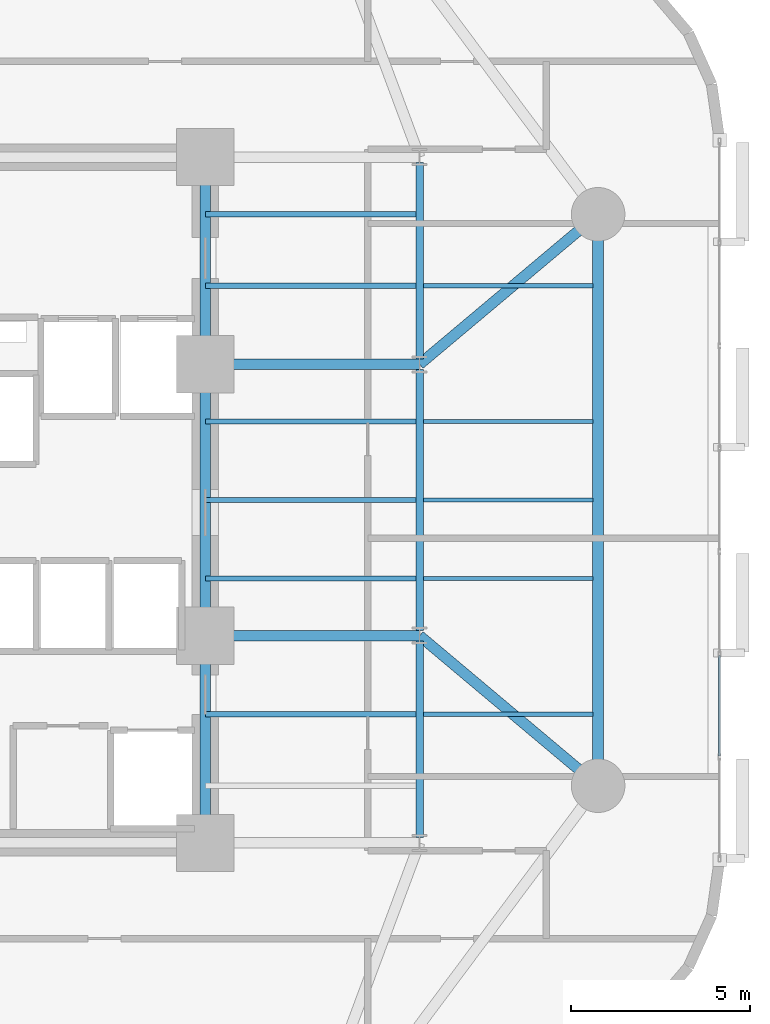
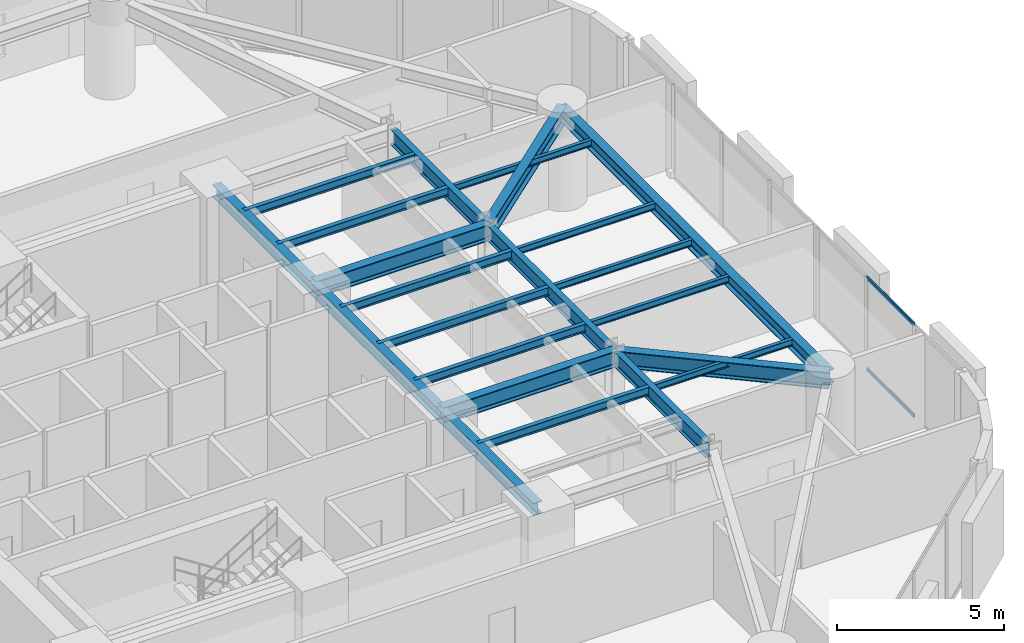
# One storey, part 5 of 16: 22 beams, 2 members, 1 element without a shape of its own.
"""IFC4 building model written with IfcOpenShell, lengths in metres."""

from ifc_helpers import new_model, si_unit, direction, frame, origin, origin_2d, place, context, subcontext, project, spatial, hollow_rectangle, i_section, extrude, material, layer, layer_set, material_profile, profile_set, type_object, element, aggregate, save


model = new_model("IFC4")

# Units and contexts
model_context = context("Model", 3, precision=1e-05, world=origin(), true_north=direction((0.0, 1.0)))
body_context = subcontext(model_context, "Body", "Model", "MODEL_VIEW")
ifc_project = project(units=[si_unit("LENGTHUNIT", "METRE"), si_unit("AREAUNIT", "SQUARE_METRE"), si_unit("VOLUMEUNIT", "CUBIC_METRE"), si_unit("PLANEANGLEUNIT", "RADIAN"), si_unit("MASSUNIT", "GRAM", prefix="KILO")], contexts=[model_context])

# Site, building, storey
site_placement = place(None, origin())
site = spatial("IfcSite", under=ifc_project, at=site_placement, CompositionType="ELEMENT")
building_placement = place(site_placement, origin())
building = spatial("IfcBuilding", under=site, at=building_placement, Name="An Khanh Terracotta Commons", CompositionType="ELEMENT")
storey_placement = place(building_placement, frame((0.0, 0.0, 43.199951171875)))
storey = spatial("IfcBuildingStorey", under=building, at=storey_placement, Name="L11", CompositionType="ELEMENT", Elevation=43.199951171875)

# Beams
ifc_material_1 = material(Name="Steel S355J2", Category="steel")
ifc_material_profile_1 = material_profile(ifc_material_1, i_section(OverallWidth=0.300048828125, OverallDepth=0.449951171875, WebThickness=0.013916015625, FlangeThickness=0.02587890625, FilletRadius=0.027099609375, at=origin_2d()), Name="HEB450")
ifc_profile_set_1 = profile_set([ifc_material_profile_1], Name="Steel S355J2")
beam_type_1 = type_object("IfcBeamType", Name="BM-HEB450", PredefinedType="BEAM", material=ifc_profile_set_1)
beam_1_placement = place(storey_placement, frame((37.199951171875, 14.39990234375, 3.175048828125), z_axis=(0.0, 1.0, 0.0), x_axis=(-1.0, 0.0, 0.0)))
element("IfcBeam", 1, at=beam_1_placement, inside=storey, type_object=beam_type_1, Name="L11 Core East Coupling Girder 1", PredefinedType="BEAM", context=body_context, shape_type="SweptSolid", body=[
    extrude(i_section(OverallWidth=0.300048828125, OverallDepth=0.449951171875, WebThickness=0.013916015625, FlangeThickness=0.02587890625, FilletRadius=0.027099609375, at=origin_2d()), origin(), (0.0, 0.0, 1.0), 5.800048828125),
])
beam_2_placement = place(storey_placement, frame((37.199951171875, 20.199951171875, 3.175048828125), z_axis=(0.0, 1.0, 0.0), x_axis=(-1.0, 0.0, 0.0)))
element("IfcBeam", 2, at=beam_2_placement, inside=storey, type_object=beam_type_1, Name="L11 Core East Coupling Girder 2", PredefinedType="BEAM", context=body_context, shape_type="SweptSolid", body=[
    extrude(i_section(OverallWidth=0.300048828125, OverallDepth=0.449951171875, WebThickness=0.013916015625, FlangeThickness=0.02587890625, FilletRadius=0.027099609375, at=origin_2d()), origin(), (0.0, 0.0, 1.0), 7.60009765625),
])
beam_3_placement = place(storey_placement, frame((37.199951171875, 27.800048828125, 3.175048828125), z_axis=(0.0, 1.0, 0.0), x_axis=(-1.0, 0.0, 0.0)))
element("IfcBeam", 3, at=beam_3_placement, inside=storey, type_object=beam_type_1, Name="L11 Core East Coupling Girder 3", PredefinedType="BEAM", context=body_context, shape_type="SweptSolid", body=[
    extrude(i_section(OverallWidth=0.300048828125, OverallDepth=0.449951171875, WebThickness=0.013916015625, FlangeThickness=0.02587890625, FilletRadius=0.027099609375, at=origin_2d()), origin(), (0.0, 0.0, 1.0), 5.800048828125),
])
ifc_material_profile_2 = material_profile(ifc_material_1, i_section(OverallWidth=0.300048828125, OverallDepth=0.5, WebThickness=0.014404296875, FlangeThickness=0.028076171875, FilletRadius=0.027099609375, at=origin_2d()), Name="HEB500")
ifc_profile_set_2 = profile_set([ifc_material_profile_2], Name="Steel S355J2")
beam_type_2 = type_object("IfcBeamType", Name="BM-HEB500", PredefinedType="BEAM", material=ifc_profile_set_2)
beam_4_placement = place(storey_placement, frame((48.199951171875, 16.0, 3.150146484375), z_axis=(0.0, 1.0, 0.0), x_axis=(-1.0, 0.0, 0.0)))
element("IfcBeam", 4, at=beam_4_placement, inside=storey, type_object=beam_type_2, Name="L11 Perimeter Ring Spandrel 3", PredefinedType="BEAM", context=body_context, shape_type="SweptSolid", body=[
    extrude(i_section(OverallWidth=0.300048828125, OverallDepth=0.5, WebThickness=0.014404296875, FlangeThickness=0.028076171875, FilletRadius=0.027099609375, at=origin_2d()), origin(), (0.0, 0.0, 1.0), 16.0),
])
ifc_material_profile_3 = material_profile(ifc_material_1, i_section(OverallWidth=0.300048828125, OverallDepth=0.60009765625, WebThickness=0.015380859375, FlangeThickness=0.030029296875, FilletRadius=0.027099609375, at=origin_2d()), Name="HEB600")
ifc_profile_set_3 = profile_set([ifc_material_profile_3], Name="Steel S355J2")
beam_type_3 = type_object("IfcBeamType", Name="BM-HEB600", PredefinedType="BEAM", material=ifc_profile_set_3)
for number, where, z_axis, x_axis, name in (
    (5, (37.199951171875, 20.199951171875, 3.10009765625), (1.0, 0.0, 0.0), (0.0, 1.0, 0.0), "L11 East Primary Floor Girder 2"),
    (6, (37.199951171875, 27.800048828125, 3.10009765625), (1.0, 0.0, 0.0), (0.0, 1.0, 0.0), "L11 East Primary Floor Girder 3"),
):
    element("IfcBeam", number, at=place(storey_placement, frame(where, z_axis=z_axis, x_axis=x_axis)), inside=storey, type_object=beam_type_3, Name=name, PredefinedType="BEAM", context=body_context, shape_type="SweptSolid", body=[
        extrude(i_section(OverallWidth=0.300048828125, OverallDepth=0.60009765625, WebThickness=0.015380859375, FlangeThickness=0.030029296875, FilletRadius=0.027099609375, at=origin_2d()), origin(), (0.0, 0.0, 1.0), 6.0),
    ])
for number, where, z_axis, x_axis, name in (
    (7, (48.199951171875, 16.0, 3.10009765625), (-0.765708547471, 0.643187702253, 0.0), (-0.643187702253, -0.765708547471, 0.0), "L11 Mega-Column Tie Girder 3"),
    (8, (48.199951171875, 32.0, 3.10009765625), (-0.765708547471, -0.643187702253, 0.0), (0.643187702253, -0.765708547471, 0.0), "L11 Mega-Column Tie Girder 4"),
):
    element("IfcBeam", number, at=place(storey_placement, frame(where, z_axis=z_axis, x_axis=x_axis)), inside=storey, type_object=beam_type_3, Name=name, PredefinedType="BEAM", context=body_context, shape_type="SweptSolid", body=[
        extrude(i_section(OverallWidth=0.300048828125, OverallDepth=0.60009765625, WebThickness=0.015380859375, FlangeThickness=0.030029296875, FilletRadius=0.027099609375, at=origin_2d()), origin(), (0.0, 0.0, 1.0), 6.52978515625),
    ])
ifc_material_profile_4 = material_profile(ifc_material_1, i_section(OverallWidth=0.1201171875, OverallDepth=0.239990234375, WebThickness=0.006103515625, FlangeThickness=0.009765625, FilletRadius=0.014892578125, at=origin_2d()), Name="IPE240")
ifc_profile_set_4 = profile_set([ifc_material_profile_4], Name="Steel S355J2")
beam_type_4 = type_object("IfcBeamType", Name="BM-IPE240", PredefinedType="JOIST", material=ifc_profile_set_4)
for number, where, z_axis, x_axis, name in (
    (9, (43.304931640625, 18.0, 3.280029296875), (1.0, 0.0, 0.0), (0.0, 1.0, 0.0), "L11 Riverfront Composite Joist 2"),
    (10, (43.304931640625, 21.800048828125, 3.280029296875), (1.0, 0.0, 0.0), (0.0, 1.0, 0.0), "L11 Riverfront Composite Joist 3"),
    (11, (43.304931640625, 24.0, 3.280029296875), (1.0, 0.0, 0.0), (0.0, 1.0, 0.0), "L11 Riverfront Composite Joist 4"),
    (12, (43.304931640625, 26.199951171875, 3.280029296875), (1.0, 0.0, 0.0), (0.0, 1.0, 0.0), "L11 Riverfront Composite Joist 5"),
    (13, (43.304931640625, 30.0, 3.280029296875), (1.0, 0.0, 0.0), (0.0, 1.0, 0.0), "L11 Riverfront Composite Joist 6"),
):
    element("IfcBeam", number, at=place(storey_placement, frame(where, z_axis=z_axis, x_axis=x_axis)), inside=storey, type_object=beam_type_4, Name=name, PredefinedType="JOIST", context=body_context, shape_type="SweptSolid", body=[
        extrude(i_section(OverallWidth=0.1201171875, OverallDepth=0.239990234375, WebThickness=0.006103515625, FlangeThickness=0.009765625, FilletRadius=0.014892578125, at=origin_2d()), origin(), (0.0, 0.0, 1.0), 4.7451171875),
    ])
ifc_material_profile_5 = material_profile(ifc_material_1, i_section(OverallWidth=0.14990234375, OverallDepth=0.300048828125, WebThickness=0.007080078125, FlangeThickness=0.0107421875, FilletRadius=0.014892578125, at=origin_2d()), Name="IPE300")
ifc_profile_set_5 = profile_set([ifc_material_profile_5], Name="Steel S355J2")
beam_type_5 = type_object("IfcBeamType", Name="BM-IPE300", PredefinedType="JOIST", material=ifc_profile_set_5)
for number, where, z_axis, x_axis, name in (
    (14, (37.199951171875, 18.0, 3.25), (1.0, 0.0, 0.0), (0.0, 1.0, 0.0), "L11 Inboard Composite Joist 2"),
    (15, (37.199951171875, 21.800048828125, 3.25), (1.0, 0.0, 0.0), (0.0, 1.0, 0.0), "L11 Inboard Composite Joist 3"),
    (16, (37.199951171875, 24.0, 3.25), (1.0, 0.0, 0.0), (0.0, 1.0, 0.0), "L11 Inboard Composite Joist 4"),
    (17, (37.199951171875, 26.199951171875, 3.25), (1.0, 0.0, 0.0), (0.0, 1.0, 0.0), "L11 Inboard Composite Joist 5"),
    (18, (37.199951171875, 30.0, 3.25), (1.0, 0.0, 0.0), (0.0, 1.0, 0.0), "L11 Inboard Composite Joist 6"),
    (19, (37.199951171875, 32.0, 3.25), (1.0, 0.0, 0.0), (0.0, 1.0, 0.0), "L11 Inboard Composite Joist 7"),
):
    element("IfcBeam", number, at=place(storey_placement, frame(where, z_axis=z_axis, x_axis=x_axis)), inside=storey, type_object=beam_type_5, Name=name, PredefinedType="JOIST", context=body_context, shape_type="SweptSolid", body=[
        extrude(i_section(OverallWidth=0.14990234375, OverallDepth=0.300048828125, WebThickness=0.007080078125, FlangeThickness=0.0107421875, FilletRadius=0.014892578125, at=origin_2d()), origin(), (0.0, 0.0, 1.0), 5.89501953125),
    ])
ifc_material_profile_6 = material_profile(ifc_material_1, i_section(OverallWidth=0.2099609375, OverallDepth=0.550048828125, WebThickness=0.010986328125, FlangeThickness=0.01708984375, FilletRadius=0.02392578125, at=origin_2d()), Name="IPE550")
ifc_profile_set_6 = profile_set([ifc_material_profile_6], Name="Steel S355J2")
beam_type_6 = type_object("IfcBeamType", Name="BM-IPE550", PredefinedType="BEAM", material=ifc_profile_set_6)
beam_5_placement = place(storey_placement, frame((43.199951171875, 14.550048828125, 3.125), z_axis=(0.0, 1.0, 0.0), x_axis=(-1.0, 0.0, 0.0)))
element("IfcBeam", 20, at=beam_5_placement, inside=storey, type_object=beam_type_6, Name="L11 East Spine Girder 1", PredefinedType="BEAM", context=body_context, shape_type="SweptSolid", body=[
    extrude(i_section(OverallWidth=0.2099609375, OverallDepth=0.550048828125, WebThickness=0.010986328125, FlangeThickness=0.01708984375, FilletRadius=0.02392578125, at=origin_2d()), origin(), (0.0, 0.0, 1.0), 5.5),
])
beam_6_placement = place(storey_placement, frame((43.199951171875, 20.35009765625, 3.125), z_axis=(0.0, 1.0, 0.0), x_axis=(-1.0, 0.0, 0.0)))
element("IfcBeam", 21, at=beam_6_placement, inside=storey, type_object=beam_type_6, Name="L11 East Spine Girder 2", PredefinedType="BEAM", context=body_context, shape_type="SweptSolid", body=[
    extrude(i_section(OverallWidth=0.2099609375, OverallDepth=0.550048828125, WebThickness=0.010986328125, FlangeThickness=0.01708984375, FilletRadius=0.02392578125, at=origin_2d()), origin(), (0.0, 0.0, 1.0), 7.2998046875),
])
beam_7_placement = place(storey_placement, frame((43.199951171875, 27.949951171875, 3.125), z_axis=(0.0, 1.0, 0.0), x_axis=(-1.0, 0.0, 0.0)))
element("IfcBeam", 22, at=beam_7_placement, inside=storey, type_object=beam_type_6, Name="L11 East Spine Girder 3", PredefinedType="BEAM", context=body_context, shape_type="SweptSolid", body=[
    extrude(i_section(OverallWidth=0.2099609375, OverallDepth=0.550048828125, WebThickness=0.010986328125, FlangeThickness=0.01708984375, FilletRadius=0.02392578125, at=origin_2d()), origin(), (0.0, 0.0, 1.0), 5.5),
])

# Curtain wall, members
ifc_material_2 = material(Name="Anodised Aluminium 6063-T6", Category="aluminium")
ifc_layer = layer(ifc_material_2, 0.199951171875, Name="Anodised Aluminium 6063-T6")
ifc_layer_set = layer_set([ifc_layer], Name="Anodised Aluminium 6063-T6")
curtain_wall_type = type_object("IfcCurtainWallType", Name="CW-SYS-02", PredefinedType="USERDEFINED", material=ifc_layer_set)
curtain_wall_placement = place(storey_placement, origin())
curtain_wall = element("IfcCurtainWall", 23, at=curtain_wall_placement, inside=storey, type_object=curtain_wall_type, Name="L11 CW-02 Unitised Curtain Wall CW-L11-12", ObjectType="UNITISED CURTAIN WALL", PredefinedType="USERDEFINED")
ifc_material_profile_7 = material_profile(ifc_material_2, hollow_rectangle(XDim=0.06005859375, YDim=0.1201171875, WallThickness=0.003662109375, InnerFilletRadius=0.003662109375, OuterFilletRadius=0.007080078125, at=origin_2d()), Name="RHS120x60x3.6")
ifc_profile_set_7 = profile_set([ifc_material_profile_7], Name="Anodised Aluminium 6063-T6")
member_type = type_object("IfcMemberType", Name="CWT-RHS120x60x3.6", PredefinedType="USERDEFINED", material=ifc_profile_set_7)
member_1_placement = place(storey_placement, frame((51.60009765625, 16.837158203125, 0.030029296875), z_axis=(0.0, 1.0, 0.0), x_axis=(-1.0, 0.0, 0.0)))
member_1 = element("IfcMember", 24, at=member_1_placement, type_object=member_type, Name="CW-02 transom 2.1", ObjectType="TRANSOM", PredefinedType="USERDEFINED", context=body_context, shape_type="SweptSolid", body=[
    extrude(hollow_rectangle(XDim=0.06005859375, YDim=0.1201171875, WallThickness=0.003662109375, InnerFilletRadius=0.003662109375, OuterFilletRadius=0.007080078125, at=origin_2d()), origin(), (0.0, 0.0, 1.0), 2.80908203125),
])
member_2_placement = place(storey_placement, frame((51.60009765625, 16.837158203125, 3.3701171875), z_axis=(0.0, 1.0, 0.0), x_axis=(-1.0, 0.0, 0.0)))
member_2 = element("IfcMember", 25, at=member_2_placement, type_object=member_type, Name="CW-02 transom 2.2", ObjectType="TRANSOM", PredefinedType="USERDEFINED", context=body_context, shape_type="SweptSolid", body=[
    extrude(hollow_rectangle(XDim=0.06005859375, YDim=0.1201171875, WallThickness=0.003662109375, InnerFilletRadius=0.003662109375, OuterFilletRadius=0.007080078125, at=origin_2d()), origin(), (0.0, 0.0, 1.0), 2.80908203125),
])
aggregate(curtain_wall, [member_1, member_2])

save(model, "model.ifc")
